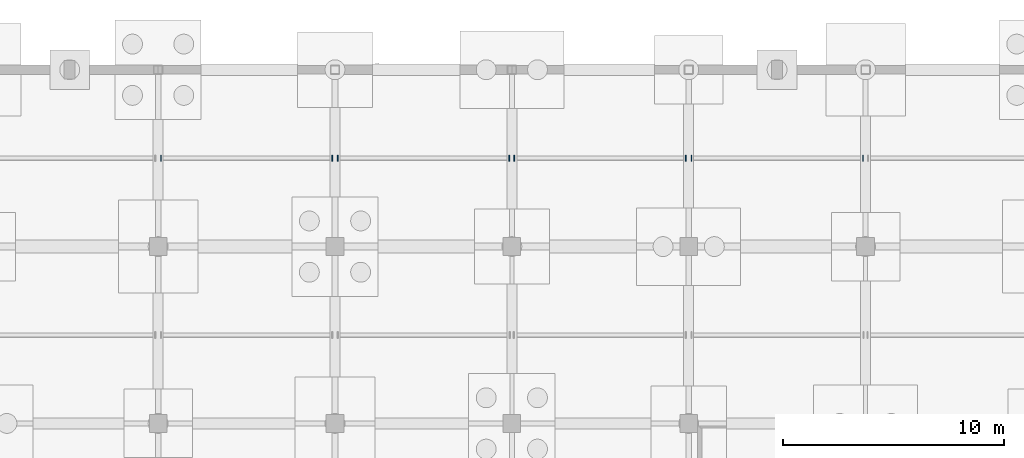
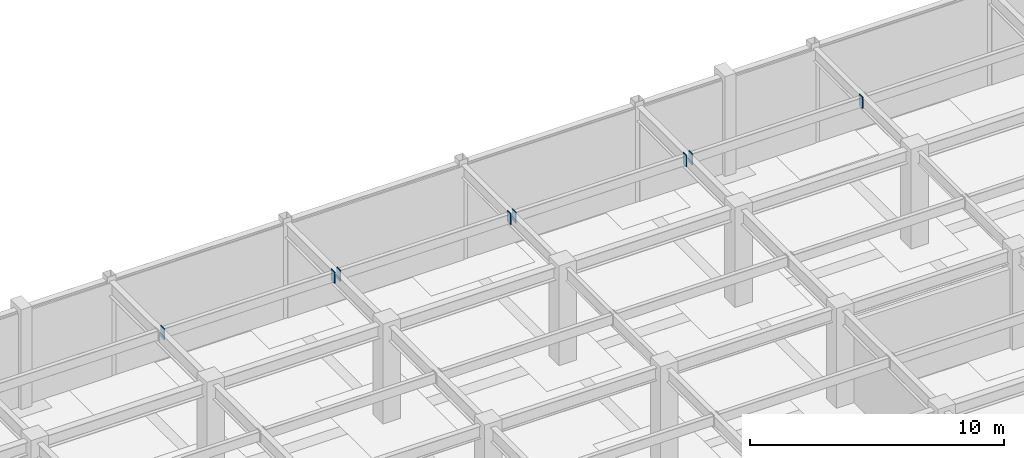
# One storey, part 85 of 105: 8 discrete accessories.
"""IFC4 building model written with IfcOpenShell, lengths in metres."""

from ifc_helpers import new_model, si_unit, direction, frame, origin, origin_2d, place, context, subcontext, project, spatial, rectangle, extrude, material, layer, layer_set, type_object, element, save


model = new_model("IFC4")

# Units and contexts
model_context = context("Model", 3, precision=1e-05, world=origin(), true_north=direction((0.0, 1.0)))
body_context = subcontext(model_context, "Body", "Model", "MODEL_VIEW")
ifc_project = project(units=[si_unit("LENGTHUNIT", "METRE"), si_unit("AREAUNIT", "SQUARE_METRE"), si_unit("VOLUMEUNIT", "CUBIC_METRE"), si_unit("PLANEANGLEUNIT", "RADIAN"), si_unit("MASSUNIT", "GRAM", prefix="KILO")], contexts=[model_context])

# Site, building, storey
site_placement = place(None, origin())
site = spatial("IfcSite", under=ifc_project, at=site_placement, CompositionType="ELEMENT")
building_placement = place(site_placement, origin())
building = spatial("IfcBuilding", under=site, at=building_placement, Name="Solmirada Galleria", CompositionType="ELEMENT")
storey_placement = place(building_placement, frame((0.0, 0.0, -4.800048828125)))
storey = spatial("IfcBuildingStorey", under=building, at=storey_placement, Name="B1", CompositionType="ELEMENT", Elevation=-4.800048828125)

# Discrete accessories
ifc_material = material(Name="Steel S355 / ASTM A572 Grade 50", Category="steel")
ifc_layer = layer(ifc_material, 0.031982421875)
ifc_layer_set = layer_set([ifc_layer], Name="Steel S355 / ASTM A572 Grade 50")
discrete_accessory_type = type_object("IfcDiscreteAccessoryType", Name="ACC-COL-CAP", PredefinedType="BRACKET", material=ifc_layer_set)
for number, where, z_axis, x_axis, name in (
    (1, (72.1279296875, 116.0, 4.08154296875), (0.0, 0.0, 1.0), (1.0, 0.0, 0.0), "Hollow joist end plate L00-10-15-L"),
    (2, (79.873046875, 116.0, 4.08154296875), (0.0, 0.0, 1.0), (1.0, 0.0, 0.0), "Hollow joist end plate L00-10-15-R"),
    (3, (80.126953125, 116.0, 4.08154296875), (0.0, 0.0, 1.0), (1.0, 0.0, 0.0), "Hollow joist end plate L00-11-15-L"),
    (4, (87.885986328125, 116.0, 4.08154296875), (0.0, 0.0, 1.0), (1.0, 0.0, 0.0), "Hollow joist end plate L00-11-15-R"),
    (5, (88.114013671875, 116.0, 4.08154296875), (0.0, 0.0, 1.0), (1.0, 0.0, 0.0), "Hollow joist end plate L00-12-15-L"),
    (6, (95.8720703125, 116.0, 4.08154296875), (0.0, 0.0, 1.0), (1.0, 0.0, 0.0), "Hollow joist end plate L00-12-15-R"),
    (7, (96.1279296875, 116.0, 4.08154296875), (0.0, 0.0, 1.0), (1.0, 0.0, 0.0), "Hollow joist end plate L00-13-15-L"),
    (8, (103.885986328125, 116.0, 4.08154296875), (0.0, 0.0, 1.0), (1.0, 0.0, 0.0), "Hollow joist end plate L00-13-15-R"),
):
    element("IfcDiscreteAccessory", number, at=place(storey_placement, frame(where, z_axis=z_axis, x_axis=x_axis)), inside=storey, type_object=discrete_accessory_type, Name=name, PredefinedType="BRACKET", context=body_context, shape_type="SweptSolid", body=[
        extrude(rectangle(XDim=0.035888671875, YDim=0.280029296875, at=origin_2d()), origin(), (0.0, 0.0, 1.0), 0.5400390625),
    ])

save(model, "model.ifc")
